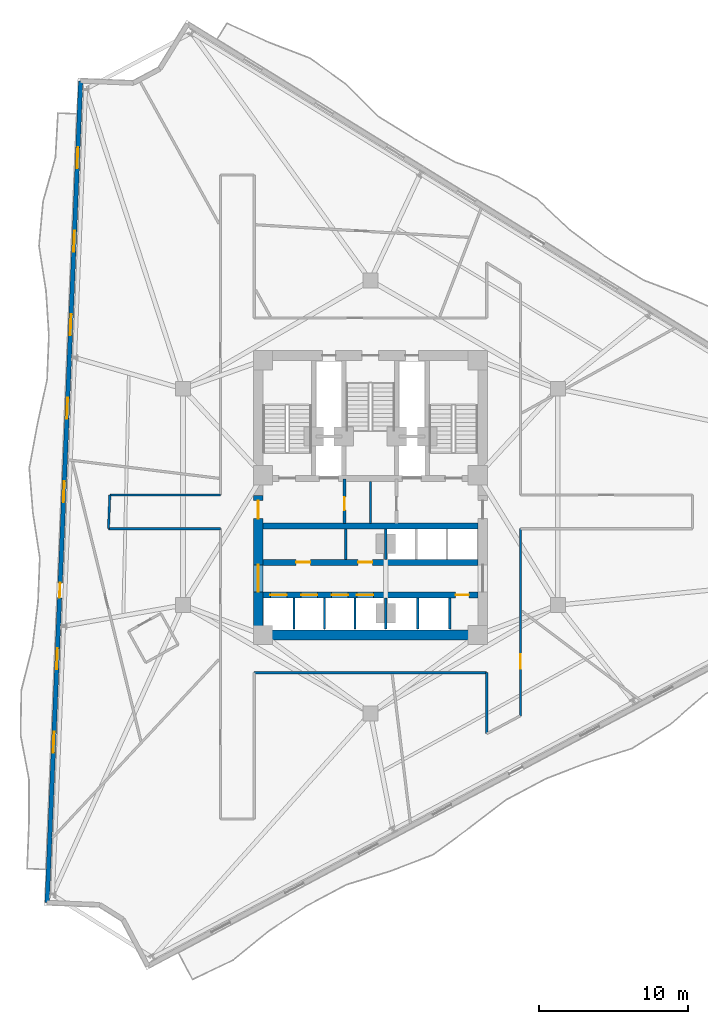
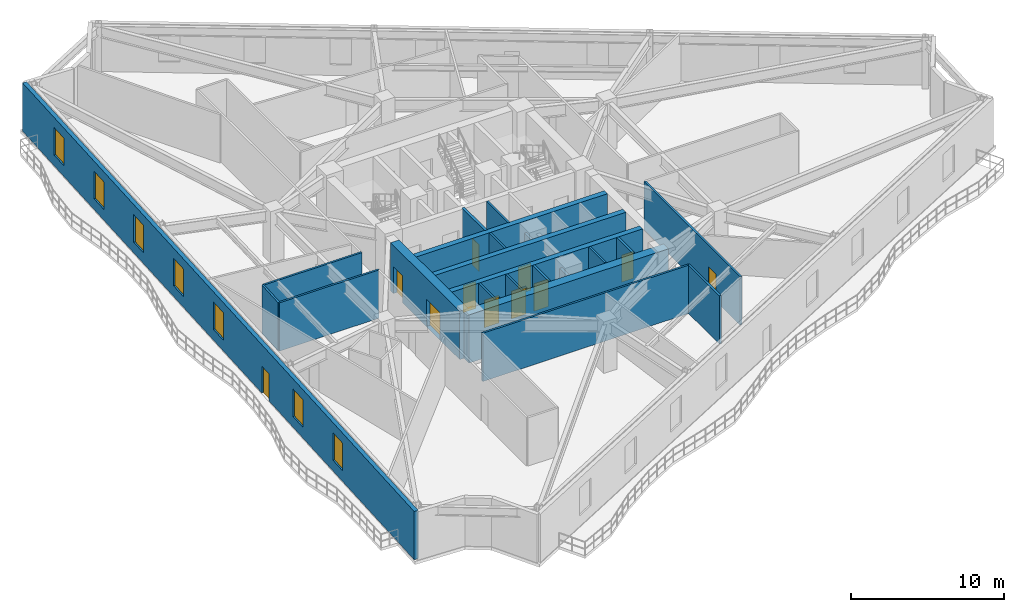
# One storey, part 6 of 12: 22 walls, 12 doors, 7 windows, 19 openings.
"""IFC4 building model written with IfcOpenShell, lengths in metres."""

import ifcopenshell
import ifcopenshell.guid

model = None  # the IFC model being written
_history = None  # IfcOwnerHistory: only IFC2X3 demands one
_inside = {}  # id of a spatial element -> (the spatial element, [elements in it])
_under = {}  # id of a project, library or spatial element -> (it, [spatial elements below it])
_declared = {}  # id of a project -> (the project, [libraries it declares])
_typed = {}  # id of a type object -> (the type object, [elements of that type])
_made_of = {}  # id of a material, layer set ... -> (it, [elements and type objects made of it])


def new_model(schema):
    """Start an empty IFC model of exactly this schema.

    Asked for "IFC4X3", IfcOpenShell would pick the latest addendum, in which some entities
    have other attributes; the version numbers below select the first issue.
    IFC2X3 requires an IfcOwnerHistory on every rooted entity: one is made here for all.
    """
    global model, _history
    if schema == "IFC4X3":
        model = ifcopenshell.file(schema_version=(4, 3, 0, 0))
    else:
        model = ifcopenshell.file(schema=schema)
    _inside.clear()
    _under.clear()
    _declared.clear()
    _typed.clear()
    _made_of.clear()
    _history = None
    if model.schema == "IFC2X3":
        org = make("IfcOrganization", Name="unknown")
        user = make(
            "IfcPersonAndOrganization",
            ThePerson=make("IfcPerson", FamilyName="unknown"),
            TheOrganization=org,
        )
        app = make(
            "IfcApplication",
            ApplicationDeveloper=org,
            Version="unknown",
            ApplicationFullName="unknown",
            ApplicationIdentifier="unknown",
        )
        _history = make(
            "IfcOwnerHistory",
            OwningUser=user,
            OwningApplication=app,
            ChangeAction="ADDED",
            CreationDate=0,
        )
    return model


def make(cls, **values):
    """One entity of the class cls with the attributes given. An attribute that is None is left unset."""
    return model.create_entity(
        cls, **{name: value for name, value in values.items() if value is not None}
    )


def rooted(cls, **values):
    """An entity with a GlobalId (a new one), such as an element, a storey or a relation."""
    return make(cls, GlobalId=ifcopenshell.guid.new(), OwnerHistory=_history, **values)


def si_unit(unit_type, name, prefix=None):
    """IfcSIUnit, for example si_unit("LENGTHUNIT", "METRE", prefix="MILLI")."""
    return make("IfcSIUnit", UnitType=unit_type, Prefix=prefix, Name=name)


def assignment(units):
    """IfcUnitAssignment: the units of a project."""
    return None if units is None else make("IfcUnitAssignment", Units=units)


def point(xyz):
    """IfcCartesianPoint."""
    return None if xyz is None else make("IfcCartesianPoint", Coordinates=xyz)


def direction(xyz):
    """IfcDirection."""
    return None if xyz is None else make("IfcDirection", DirectionRatios=xyz)


def frame(location, z_axis=None, x_axis=None):
    """IfcAxis2Placement3D, a coordinate frame: its origin and axes. An axis left out is left unset."""
    return make(
        "IfcAxis2Placement3D",
        Location=point(location),
        Axis=direction(z_axis),
        RefDirection=direction(x_axis),
    )


def frame_2d(location, x_axis=None):
    """IfcAxis2Placement2D, a coordinate frame in the plane: its origin and x axis."""
    return make(
        "IfcAxis2Placement2D", Location=point(location), RefDirection=direction(x_axis)
    )


def origin():
    """The frame at (0, 0, 0) with its axes left unset."""
    return frame((0.0, 0.0, 0.0))


def place(relative_to, where):
    """IfcLocalPlacement: puts the frame where relative to a parent placement (None: the world)."""
    return make(
        "IfcLocalPlacement", PlacementRelTo=relative_to, RelativePlacement=where
    )


def context(
    kind, dimensions, precision=None, world=None, true_north=None, identifier=None
):
    """IfcGeometricRepresentationContext, for example the 3D "Model" context."""
    return make(
        "IfcGeometricRepresentationContext",
        ContextIdentifier=identifier,
        ContextType=kind,
        CoordinateSpaceDimension=dimensions,
        Precision=precision,
        WorldCoordinateSystem=world,
        TrueNorth=true_north,
    )


def subcontext(parent, identifier, kind, view, scale=None):
    """IfcGeometricRepresentationSubContext, for example "Body" below "Model"."""
    return make(
        "IfcGeometricRepresentationSubContext",
        ContextIdentifier=identifier,
        ContextType=kind,
        ParentContext=parent,
        TargetScale=scale,
        TargetView=view,
    )


def project(units=None, contexts=None):
    """IfcProject with its units and contexts."""
    return rooted(
        "IfcProject",
        Name="project",
        RepresentationContexts=contexts,
        UnitsInContext=assignment(units),
    )


def spatial(cls, under=None, at=None, **own):
    """A site, building, storey or space (cls), placed at a placement, below another one or the project."""
    s = rooted(cls, ObjectPlacement=at, **own)
    if under is not None:
        _under.setdefault(under.id(), (under, []))[1].append(s)
    return s


def profile(cls, at=None, kind="AREA", **sizes):
    """A parametric profile (cls). Its sizes go by their IFC names, for example OverallWidth=200.0."""
    return make(cls, ProfileType=kind, Position=at, **sizes)


def rectangle(**sizes):
    """IfcRectangleProfileDef."""
    return profile("IfcRectangleProfileDef", **sizes)


def extrude(swept, where, along, depth):
    """IfcExtrudedAreaSolid: the profile swept, set in the frame where, extruded along a direction by depth."""
    return make(
        "IfcExtrudedAreaSolid",
        SweptArea=swept,
        Position=where,
        ExtrudedDirection=direction(along),
        Depth=depth,
    )


def shape(context_of_items, identifier, shape_type, items):
    """IfcShapeRepresentation: the items that make up one representation, for example the "Body"."""
    return make(
        "IfcShapeRepresentation",
        ContextOfItems=context_of_items,
        RepresentationIdentifier=identifier,
        RepresentationType=shape_type,
        Items=items,
    )


def material(Name=None, Category=None):
    """IfcMaterial."""
    return make("IfcMaterial", Name=Name, Category=Category)


def layer(
    of_material, thickness, ventilated=None, Name=None, Category=None, Priority=None
):
    """IfcMaterialLayer: one layer of a wall or slab, of a material (None: an air gap)."""
    return make(
        "IfcMaterialLayer",
        Material=of_material,
        LayerThickness=thickness,
        IsVentilated=ventilated,
        Name=Name,
        Category=Category,
        Priority=Priority,
    )


def layer_set(layers, Name=None):
    """IfcMaterialLayerSet."""
    return make("IfcMaterialLayerSet", MaterialLayers=layers, LayerSetName=Name)


def made_of(thing, what):
    """Note that an element or type object is made of a material, layer set ...; save() writes the relation."""
    if what is not None:
        _made_of.setdefault(what.id(), (what, []))[1].append(thing)
    return thing


def type_object(cls, material=None, **own):
    """A type object (cls), such as IfcWallType, which elements share."""
    return made_of(rooted(cls, **own), material)


def element(
    cls,
    number,
    at=None,
    inside=None,
    cuts=None,
    type_object=None,
    material=None,
    context=None,
    identifier="Body",
    shape_type=None,
    held_by="IfcProductDefinitionShape",
    body=None,
    shapes=None,
    **own,
):
    """One element of the class cls, such as IfcWall. Its Tag is "e" and its number.

    at: its placement. inside: the storey or other place that contains it. cuts: it is an
    opening in that element (IfcRelVoidsElement). A single representation is given by context,
    identifier, shape_type and body (its items); several are given by shapes. held_by: the class
    of the entity that holds the representations. save() writes the other relations.
    """
    e = rooted(cls, Tag="e%d" % number, ObjectPlacement=at, **own)
    if body is not None:
        shapes = [shape(context, identifier, shape_type, body)]
    if shapes is not None:
        e.Representation = make(held_by, Representations=shapes)
    if inside is not None:
        _inside.setdefault(inside.id(), (inside, []))[1].append(e)
    if cuts is not None:
        rooted(
            "IfcRelVoidsElement", RelatingBuildingElement=cuts, RelatedOpeningElement=e
        )
    if type_object is not None:
        _typed.setdefault(type_object.id(), (type_object, []))[1].append(e)
    return made_of(e, material)


def fill(opening, filler):
    """IfcRelFillsElement: the door or window that sits in an opening."""
    return rooted(
        "IfcRelFillsElement",
        RelatingOpeningElement=opening,
        RelatedBuildingElement=filler,
    )


def aggregate(whole, parts):
    """IfcRelAggregates: a whole, such as a stair, and the parts it consists of."""
    return rooted("IfcRelAggregates", RelatingObject=whole, RelatedObjects=parts)


def save(model, path):
    """Write the relations noted so far, then the file.

    IfcRelAggregates (storeys below a building ...), IfcRelContainedInSpatialStructure (elements
    in a storey), IfcRelDefinesByType, IfcRelAssociatesMaterial and IfcRelDeclares: one each for
    every whole, place, type object, material and project.
    """
    for whole, parts in _under.values():
        aggregate(whole, parts)
    for where, things in _inside.values():
        rooted(
            "IfcRelContainedInSpatialStructure",
            RelatedElements=things,
            RelatingStructure=where,
        )
    for kind, things in _typed.values():
        rooted("IfcRelDefinesByType", RelatedObjects=things, RelatingType=kind)
    for what, things in _made_of.values():
        rooted("IfcRelAssociatesMaterial", RelatedObjects=things, RelatingMaterial=what)
    for by, libraries in _declared.values():
        rooted("IfcRelDeclares", RelatingContext=by, RelatedDefinitions=libraries)
    model.write(path)


model = new_model("IFC4")

# Units and contexts
model_context = context("Model", 3, precision=1e-05, world=origin(), true_north=direction((0.0, 1.0)))
body_context = subcontext(model_context, "Body", "Model", "MODEL_VIEW")
ifc_project = project(units=[si_unit("LENGTHUNIT", "METRE"), si_unit("AREAUNIT", "SQUARE_METRE"), si_unit("VOLUMEUNIT", "CUBIC_METRE"), si_unit("PLANEANGLEUNIT", "RADIAN"), si_unit("MASSUNIT", "GRAM", prefix="KILO")], contexts=[model_context])

# Site, building, storey
site_placement = place(None, origin())
site = spatial("IfcSite", under=ifc_project, at=site_placement, CompositionType="ELEMENT")
building_placement = place(site_placement, origin())
building = spatial("IfcBuilding", under=site, at=building_placement, Name="Apsidion Concourse Tower", CompositionType="ELEMENT")
storey_placement = place(building_placement, frame((0.0, 0.0, 165.5)))
storey = spatial("IfcBuildingStorey", under=building, at=storey_placement, Name="L38", CompositionType="ELEMENT", Elevation=165.5)

# Wall, openings, door, windows
ifc_material_1 = material(Name="Precast concrete C40/50", Category="concrete")
ifc_layer_1 = layer(ifc_material_1, 0.300048828125)
ifc_layer_set_1 = layer_set([ifc_layer_1], Name="Precast concrete C40/50")
wall_type_1 = type_object("IfcWallType", Name="WL-EXT-300", PredefinedType="STANDARD", material=ifc_layer_set_1)
wall_1_placement = place(storey_placement, frame((-21.66748046875, -27.184326171875, 0.0), z_axis=(0.0, 0.0, 1.0), x_axis=(0.040813869681, 0.999166766882, 0.0)))
wall_1 = element("IfcWall", 1, at=wall_1_placement, inside=storey, type_object=wall_type_1, Name="L38 Precast Stone Facade Wall 09", PredefinedType="STANDARD", context=body_context, shape_type="SweptSolid", body=[
    extrude(rectangle(XDim=55.1103515625, YDim=0.300048828125, at=frame_2d((27.55517578125, 0.0))), origin(), (0.0, 0.0, 1.0), 3.85009765625),
])
opening_1_placement = place(wall_1_placement, frame((20.44189453125, 0.0, 0.0)))
opening_1 = element("IfcOpeningElement", 2, at=opening_1_placement, cuts=wall_1, Name="Opening D-T1L", PredefinedType="OPENING", context=body_context, shape_type="SweptSolid", body=[
    extrude(rectangle(XDim=1.0, YDim=2.14990234375, at=frame_2d((0.5, 1.074951171875))), frame((0.0, 0.16015625, 0.0), z_axis=(0.0, -1.0, 0.0), x_axis=(1.0, 0.0, 0.0)), (0.0, 0.0, 1.0), 0.320068359375),
])
opening_2_placement = place(wall_1_placement, frame((10.055419921875, 0.0, 0.85009765625)))
opening_2 = element("IfcOpeningElement", 3, at=opening_2_placement, cuts=wall_1, Name="Opening WN-05", PredefinedType="OPENING", context=body_context, shape_type="SweptSolid", body=[
    extrude(rectangle(XDim=1.39990234375, YDim=2.199951171875, at=frame_2d((0.699951171875, 1.10009765625))), frame((0.0, 0.16015625, 0.0), z_axis=(0.0, -1.0, 0.0), x_axis=(1.0, 0.0, 0.0)), (0.0, 0.0, 1.0), 0.320068359375),
])
opening_3_placement = place(wall_1_placement, frame((15.6552734375, 0.0, 0.85009765625)))
opening_3 = element("IfcOpeningElement", 4, at=opening_3_placement, cuts=wall_1, Name="Opening WN-05", PredefinedType="OPENING", context=body_context, shape_type="SweptSolid", body=[
    extrude(rectangle(XDim=1.39990234375, YDim=2.199951171875, at=frame_2d((0.699951171875, 1.10009765625))), frame((0.0, 0.16015625, 0.0), z_axis=(0.0, -1.0, 0.0), x_axis=(1.0, 0.0, 0.0)), (0.0, 0.0, 1.0), 0.320068359375),
])
opening_4_placement = place(wall_1_placement, frame((26.855224609375, 0.0, 0.85009765625)))
opening_4 = element("IfcOpeningElement", 5, at=opening_4_placement, cuts=wall_1, Name="Opening WN-05", PredefinedType="OPENING", context=body_context, shape_type="SweptSolid", body=[
    extrude(rectangle(XDim=1.39990234375, YDim=2.199951171875, at=frame_2d((0.699951171875, 1.10009765625))), frame((0.0, 0.16015625, 0.0), z_axis=(0.0, -1.0, 0.0), x_axis=(1.0, 0.0, 0.0)), (0.0, 0.0, 1.0), 0.320068359375),
])
opening_5_placement = place(wall_1_placement, frame((32.455322265625, 0.0, 0.85009765625)))
opening_5 = element("IfcOpeningElement", 6, at=opening_5_placement, cuts=wall_1, Name="Opening WN-05", PredefinedType="OPENING", context=body_context, shape_type="SweptSolid", body=[
    extrude(rectangle(XDim=1.39990234375, YDim=2.199951171875, at=frame_2d((0.699951171875, 1.10009765625))), frame((0.0, 0.16015625, 0.0), z_axis=(0.0, -1.0, 0.0), x_axis=(1.0, 0.0, 0.0)), (0.0, 0.0, 1.0), 0.320068359375),
])
opening_6_placement = place(wall_1_placement, frame((38.055419921875, 0.0, 0.85009765625)))
opening_6 = element("IfcOpeningElement", 7, at=opening_6_placement, cuts=wall_1, Name="Opening WN-05", PredefinedType="OPENING", context=body_context, shape_type="SweptSolid", body=[
    extrude(rectangle(XDim=1.39990234375, YDim=2.199951171875, at=frame_2d((0.699951171875, 1.10009765625))), frame((0.0, 0.16015625, 0.0), z_axis=(0.0, -1.0, 0.0), x_axis=(1.0, 0.0, 0.0)), (0.0, 0.0, 1.0), 0.320068359375),
])
opening_7_placement = place(wall_1_placement, frame((43.6552734375, 0.0, 0.85009765625)))
opening_7 = element("IfcOpeningElement", 8, at=opening_7_placement, cuts=wall_1, Name="Opening WN-05", PredefinedType="OPENING", context=body_context, shape_type="SweptSolid", body=[
    extrude(rectangle(XDim=1.39990234375, YDim=2.199951171875, at=frame_2d((0.699951171875, 1.10009765625))), frame((0.0, 0.16015625, 0.0), z_axis=(0.0, -1.0, 0.0), x_axis=(1.0, 0.0, 0.0)), (0.0, 0.0, 1.0), 0.320068359375),
])
opening_8_placement = place(wall_1_placement, frame((49.25537109375, 0.0, 0.85009765625)))
opening_8 = element("IfcOpeningElement", 9, at=opening_8_placement, cuts=wall_1, Name="Opening WN-05", PredefinedType="OPENING", context=body_context, shape_type="SweptSolid", body=[
    extrude(rectangle(XDim=1.39990234375, YDim=2.199951171875, at=frame_2d((0.699951171875, 1.10009765625))), frame((0.0, 0.16015625, 0.0), z_axis=(0.0, -1.0, 0.0), x_axis=(1.0, 0.0, 0.0)), (0.0, 0.0, 1.0), 0.320068359375),
])
ifc_material_2 = material(Name="Anodised aluminium EN AW-6063 T6", Category="aluminium")
door_type_1 = type_object("IfcDoorType", Name="DR-TER-1022L", OperationType="SINGLE_SWING_LEFT", PredefinedType="DOOR", material=ifc_material_2)
door_1_placement = place(opening_1_placement, origin())
door_1 = element("IfcDoor", 10, at=door_1_placement, inside=storey, type_object=door_type_1, Name="L38 Balcony Access Door 1", OperationType="SINGLE_SWING_LEFT", OverallHeight=2.14990234375, OverallWidth=1.0, PredefinedType="DOOR", context=body_context, shape_type="SweptSolid", body=[
    extrude(rectangle(XDim=1.0, YDim=2.14990234375, at=frame_2d((0.5, 1.074951171875))), frame((0.0, 0.02490234375, 0.0), z_axis=(0.0, -1.0, 0.0), x_axis=(1.0, 0.0, 0.0)), (0.0, 0.0, 1.0), 0.050048828125),
])
fill(opening_1, door_1)
ifc_material_3 = material(Name="Insulated laminated low-E glass", Category="glass")
window_type = type_object("IfcWindowType", Name="WN-OFF-1424", PartitioningType="SINGLE_PANEL", PredefinedType="WINDOW", material=ifc_material_3)
window_1_placement = place(opening_2_placement, origin())
window_1 = element("IfcWindow", 11, at=window_1_placement, inside=storey, type_object=window_type, Name="L38 Punched Facade Window 9-02", OverallHeight=2.199951171875, OverallWidth=1.39990234375, PartitioningType="SINGLE_PANEL", PredefinedType="WINDOW", context=body_context, shape_type="SweptSolid", body=[
    extrude(rectangle(XDim=1.39990234375, YDim=2.199951171875, at=frame_2d((0.699951171875, 1.10009765625))), frame((0.0, 0.030029296875, 0.0), z_axis=(0.0, -1.0, 0.0), x_axis=(1.0, 0.0, 0.0)), (0.0, 0.0, 1.0), 0.06005859375),
])
fill(opening_2, window_1)
window_2_placement = place(opening_3_placement, origin())
window_2 = element("IfcWindow", 12, at=window_2_placement, inside=storey, type_object=window_type, Name="L38 Punched Facade Window 9-03", OverallHeight=2.199951171875, OverallWidth=1.39990234375, PartitioningType="SINGLE_PANEL", PredefinedType="WINDOW", context=body_context, shape_type="SweptSolid", body=[
    extrude(rectangle(XDim=1.39990234375, YDim=2.199951171875, at=frame_2d((0.699951171875, 1.10009765625))), frame((0.0, 0.030029296875, 0.0), z_axis=(0.0, -1.0, 0.0), x_axis=(1.0, 0.0, 0.0)), (0.0, 0.0, 1.0), 0.06005859375),
])
fill(opening_3, window_2)
window_3_placement = place(opening_4_placement, origin())
window_3 = element("IfcWindow", 13, at=window_3_placement, inside=storey, type_object=window_type, Name="L38 Punched Facade Window 9-05", OverallHeight=2.199951171875, OverallWidth=1.39990234375, PartitioningType="SINGLE_PANEL", PredefinedType="WINDOW", context=body_context, shape_type="SweptSolid", body=[
    extrude(rectangle(XDim=1.39990234375, YDim=2.199951171875, at=frame_2d((0.699951171875, 1.10009765625))), frame((0.0, 0.030029296875, 0.0), z_axis=(0.0, -1.0, 0.0), x_axis=(1.0, 0.0, 0.0)), (0.0, 0.0, 1.0), 0.06005859375),
])
fill(opening_4, window_3)
window_4_placement = place(opening_5_placement, origin())
window_4 = element("IfcWindow", 14, at=window_4_placement, inside=storey, type_object=window_type, Name="L38 Punched Facade Window 9-06", OverallHeight=2.199951171875, OverallWidth=1.39990234375, PartitioningType="SINGLE_PANEL", PredefinedType="WINDOW", context=body_context, shape_type="SweptSolid", body=[
    extrude(rectangle(XDim=1.39990234375, YDim=2.199951171875, at=frame_2d((0.699951171875, 1.10009765625))), frame((0.0, 0.030029296875, 0.0), z_axis=(0.0, -1.0, 0.0), x_axis=(1.0, 0.0, 0.0)), (0.0, 0.0, 1.0), 0.06005859375),
])
fill(opening_5, window_4)
window_5_placement = place(opening_6_placement, origin())
window_5 = element("IfcWindow", 15, at=window_5_placement, inside=storey, type_object=window_type, Name="L38 Punched Facade Window 9-07", OverallHeight=2.199951171875, OverallWidth=1.39990234375, PartitioningType="SINGLE_PANEL", PredefinedType="WINDOW", context=body_context, shape_type="SweptSolid", body=[
    extrude(rectangle(XDim=1.39990234375, YDim=2.199951171875, at=frame_2d((0.699951171875, 1.10009765625))), frame((0.0, 0.030029296875, 0.0), z_axis=(0.0, -1.0, 0.0), x_axis=(1.0, 0.0, 0.0)), (0.0, 0.0, 1.0), 0.06005859375),
])
fill(opening_6, window_5)
window_6_placement = place(opening_7_placement, origin())
window_6 = element("IfcWindow", 16, at=window_6_placement, inside=storey, type_object=window_type, Name="L38 Punched Facade Window 9-08", OverallHeight=2.199951171875, OverallWidth=1.39990234375, PartitioningType="SINGLE_PANEL", PredefinedType="WINDOW", context=body_context, shape_type="SweptSolid", body=[
    extrude(rectangle(XDim=1.39990234375, YDim=2.199951171875, at=frame_2d((0.699951171875, 1.10009765625))), frame((0.0, 0.030029296875, 0.0), z_axis=(0.0, -1.0, 0.0), x_axis=(1.0, 0.0, 0.0)), (0.0, 0.0, 1.0), 0.06005859375),
])
fill(opening_7, window_6)
window_7_placement = place(opening_8_placement, origin())
window_7 = element("IfcWindow", 17, at=window_7_placement, inside=storey, type_object=window_type, Name="L38 Punched Facade Window 9-09", OverallHeight=2.199951171875, OverallWidth=1.39990234375, PartitioningType="SINGLE_PANEL", PredefinedType="WINDOW", context=body_context, shape_type="SweptSolid", body=[
    extrude(rectangle(XDim=1.39990234375, YDim=2.199951171875, at=frame_2d((0.699951171875, 1.10009765625))), frame((0.0, 0.030029296875, 0.0), z_axis=(0.0, -1.0, 0.0), x_axis=(1.0, 0.0, 0.0)), (0.0, 0.0, 1.0), 0.06005859375),
])
fill(opening_8, window_7)

# Walls
ifc_material_4 = material(Name="Gypsum plasterboard partition")
ifc_layer_2 = layer(ifc_material_4, 0.14990234375)
ifc_layer_set_2 = layer_set([ifc_layer_2], Name="Gypsum plasterboard partition")
wall_type_2 = type_object("IfcWallType", Name="WL-INT-PAR-150", PredefinedType="PARTITIONING", material=ifc_layer_set_2)
wall_2_placement = place(storey_placement, frame((-1.64990234375, -4.179931640625, 0.0), z_axis=(0.0, 0.0, 1.0), x_axis=(0.0, 1.0, 0.0)))
element("IfcWall", 18, at=wall_2_placement, inside=storey, type_object=wall_type_2, Name="L38 Interior Partition WL-L38-B1RV1", PredefinedType="PARTITIONING", context=body_context, shape_type="SweptSolid", body=[
    extrude(rectangle(XDim=2.030029296875, YDim=0.14990234375, at=frame_2d((1.01513671875, 0.0))), origin(), (0.0, 0.0, 1.0), 3.85009765625),
])
for number, where, z_axis, x_axis, name in (
    (19, (-5.125, -8.85009765625, 0.0), (0.0, 0.0, 1.0), (0.0, 1.0, 0.0), "L38 Interior Partition WL-L38-B2DIV-1"),
    (20, (-3.074951171875, -8.85009765625, 0.0), (0.0, 0.0, 1.0), (0.0, 1.0, 0.0), "L38 Interior Partition WL-L38-B2DIV-2"),
    (21, (-1.02490234375, -8.85009765625, 0.0), (0.0, 0.0, 1.0), (0.0, 1.0, 0.0), "L38 Interior Partition WL-L38-B2DIV-3"),
    (22, (3.175048828125, -8.85009765625, 0.0), (0.0, 0.0, 1.0), (0.0, 1.0, 0.0), "L38 Interior Partition WL-L38-SHDIV-1"),
):
    element("IfcWall", number, at=place(storey_placement, frame(where, z_axis=z_axis, x_axis=x_axis)), inside=storey, type_object=wall_type_2, Name=name, PredefinedType="PARTITIONING", context=body_context, shape_type="SweptSolid", body=[
        extrude(rectangle(XDim=2.080078125, YDim=0.14990234375, at=frame_2d((1.0400390625, 0.0))), origin(), (0.0, 0.0, 1.0), 3.85009765625),
    ])
wall_3_placement = place(storey_placement, frame((0.0, -1.780029296875, 0.0), z_axis=(0.0, 0.0, 1.0), x_axis=(0.0, 1.0, 0.0)))
element("IfcWall", 23, at=wall_3_placement, inside=storey, type_object=wall_type_2, Name="L38 Interior Partition WL-L38-K3V", PredefinedType="PARTITIONING", context=body_context, shape_type="SweptSolid", body=[
    extrude(rectangle(XDim=2.830078125, YDim=0.14990234375, at=frame_2d((1.4150390625, 0.0))), origin(), (0.0, 0.0, 1.0), 3.85009765625),
])
wall_4_placement = place(storey_placement, frame((7.7900390625, -15.87060546875, 0.0), z_axis=(0.0, 0.0, 1.0), x_axis=(0.0, 1.0, 0.0)))
element("IfcWall", 24, at=wall_4_placement, inside=storey, type_object=wall_type_2, Name="L38 Interior Partition WL-L38-CORR-02", PredefinedType="PARTITIONING", context=body_context, shape_type="SweptSolid", body=[
    extrude(rectangle(XDim=4.095703125, YDim=0.14990234375, at=frame_2d((2.0478515625, 0.0))), origin(), (0.0, 0.0, 1.0), 3.85009765625),
])
wall_5_placement = place(storey_placement, frame((7.7900390625, -11.77490234375, 0.0), z_axis=(0.0, 0.0, 1.0), x_axis=(-1.0, 0.0, 0.0)))
element("IfcWall", 25, at=wall_5_placement, inside=storey, type_object=wall_type_2, Name="L38 Interior Partition WL-L38-CORR-03", PredefinedType="PARTITIONING", context=body_context, shape_type="SweptSolid", body=[
    extrude(rectangle(XDim=15.580078125, YDim=0.14990234375, at=frame_2d((7.7900390625, 0.0))), origin(), (0.0, 0.0, 1.0), 3.85009765625),
])
wall_6_placement = place(storey_placement, frame((-10.050048828125, -2.1298828125, 0.0), z_axis=(0.0, 0.0, 1.0), x_axis=(-1.0, 0.0, 0.0)))
element("IfcWall", 26, at=wall_6_placement, inside=storey, type_object=wall_type_2, Name="L38 Interior Partition WL-L38-CORR-07", PredefinedType="PARTITIONING", context=body_context, shape_type="SweptSolid", body=[
    extrude(rectangle(XDim=7.50634765625, YDim=0.14990234375, at=frame_2d((3.753173828125, 0.0))), origin(), (0.0, 0.0, 1.0), 3.85009765625),
])
wall_7_placement = place(storey_placement, frame((-17.556396484375, -2.1298828125, 0.0), z_axis=(0.0, 0.0, 1.0), x_axis=(0.040804363078, 0.999167155162, 0.0)))
element("IfcWall", 27, at=wall_7_placement, inside=storey, type_object=wall_type_2, Name="L38 Interior Partition WL-L38-CORR-08", PredefinedType="PARTITIONING", context=body_context, shape_type="SweptSolid", body=[
    extrude(rectangle(XDim=2.26171875, YDim=0.14990234375, at=frame_2d((1.130859375, 0.0))), origin(), (0.0, 0.0, 1.0), 3.85009765625),
])
wall_8_placement = place(storey_placement, frame((-17.464111328125, 0.1298828125, 0.0), z_axis=(0.0, 0.0, 1.0), x_axis=(1.0, 0.0, 0.0)))
element("IfcWall", 28, at=wall_8_placement, inside=storey, type_object=wall_type_2, Name="L38 Interior Partition WL-L38-CORR-09", PredefinedType="PARTITIONING", context=body_context, shape_type="SweptSolid", body=[
    extrude(rectangle(XDim=7.4140625, YDim=0.14990234375, at=frame_2d((3.70703125, 0.0))), origin(), (0.0, 0.0, 1.0), 3.85009765625),
])

# Wall, opening, door
wall_9_placement = place(storey_placement, frame((10.050048828125, -2.1298828125, 0.0), z_axis=(0.0, 0.0, 1.0), x_axis=(0.0, -1.0, 0.0)))
wall_9 = element("IfcWall", 29, at=wall_9_placement, inside=storey, type_object=wall_type_2, Name="L38 Interior Partition WL-L38-CORR-20", PredefinedType="PARTITIONING", context=body_context, shape_type="SweptSolid", body=[
    extrude(rectangle(XDim=12.5390625, YDim=0.14990234375, at=frame_2d((6.26953125, 0.0))), origin(), (0.0, 0.0, 1.0), 3.85009765625),
])
opening_9_placement = place(wall_9_placement, frame((8.428955078125, 0.0, 0.0)))
opening_9 = element("IfcOpeningElement", 30, at=opening_9_placement, cuts=wall_9, Name="Opening D-01L", PredefinedType="OPENING", context=body_context, shape_type="SweptSolid", body=[
    extrude(rectangle(XDim=0.949951171875, YDim=2.14990234375, at=frame_2d((0.47509765625, 1.074951171875))), frame((0.0, 0.0849609375, 0.0), z_axis=(0.0, -1.0, 0.0), x_axis=(1.0, 0.0, 0.0)), (0.0, 0.0, 1.0), 0.169921875),
])
ifc_material_5 = material(Name="Brushed stainless steel 316", Category="steel")
door_type_2 = type_object("IfcDoorType", Name="DR-INT-D01L", OperationType="SINGLE_SWING_LEFT", PredefinedType="DOOR", material=ifc_material_5)
door_2_placement = place(opening_9_placement, origin())
door_2 = element("IfcDoor", 31, at=door_2_placement, inside=storey, type_object=door_type_2, Name="L38 Corridor Entry Door 03", OperationType="SINGLE_SWING_LEFT", OverallHeight=2.14990234375, OverallWidth=0.949951171875, PredefinedType="DOOR", context=body_context, shape_type="SweptSolid", body=[
    extrude(rectangle(XDim=0.949951171875, YDim=2.14990234375, at=frame_2d((0.47509765625, 1.074951171875))), frame((0.0, 0.02490234375, 0.0), z_axis=(0.0, -1.0, 0.0), x_axis=(1.0, 0.0, 0.0)), (0.0, 0.0, 1.0), 0.050048828125),
])
fill(opening_9, door_2)

# Walls
ifc_layer_3 = layer(ifc_material_4, 0.179931640625)
ifc_layer_set_3 = layer_set([ifc_layer_3], Name="Gypsum plasterboard partition")
wall_type_3 = type_object("IfcWallType", Name="WL-INT-PAR-180", PredefinedType="PARTITIONING", material=ifc_layer_set_3)
wall_10_placement = place(storey_placement, frame((1.02490234375, -4.179931640625, 0.0), z_axis=(0.0, 0.0, 1.0), x_axis=(0.0, 1.0, 0.0)))
element("IfcWall", 32, at=wall_10_placement, inside=storey, type_object=wall_type_3, Name="L38 Interior Partition WL-L38-B1END", PredefinedType="PARTITIONING", context=body_context, shape_type="SweptSolid", body=[
    extrude(rectangle(XDim=2.030029296875, YDim=0.179931640625, at=frame_2d((1.01513671875, 0.0))), origin(), (0.0, 0.0, 1.0), 2.89794921875),
])
wall_11_placement = place(storey_placement, frame((1.02490234375, -8.85009765625, 0.0), z_axis=(0.0, 0.0, 1.0), x_axis=(0.0, 1.0, 0.0)))
element("IfcWall", 33, at=wall_11_placement, inside=storey, type_object=wall_type_3, Name="L38 Interior Partition WL-L38-B2END", PredefinedType="PARTITIONING", context=body_context, shape_type="SweptSolid", body=[
    extrude(rectangle(XDim=2.080078125, YDim=0.179931640625, at=frame_2d((1.0400390625, 0.0))), origin(), (0.0, 0.0, 1.0), 2.89794921875),
])
wall_12_placement = place(storey_placement, frame((5.324951171875, -8.85009765625, 0.0), z_axis=(0.0, 0.0, 1.0), x_axis=(0.0, 1.0, 0.0)))
element("IfcWall", 34, at=wall_12_placement, inside=storey, type_object=wall_type_3, Name="L38 Interior Partition WL-L38-SHDIV-2", PredefinedType="PARTITIONING", context=body_context, shape_type="SweptSolid", body=[
    extrude(rectangle(XDim=2.080078125, YDim=0.179931640625, at=frame_2d((1.0400390625, 0.0))), origin(), (0.0, 0.0, 1.0), 3.85009765625),
])

# Wall, opening, door
ifc_layer_4 = layer(ifc_material_4, 0.199951171875)
ifc_layer_set_4 = layer_set([ifc_layer_4], Name="Gypsum plasterboard partition")
wall_type_4 = type_object("IfcWallType", Name="WL-INT-PAR-200", PredefinedType="PARTITIONING", material=ifc_layer_set_4)
wall_13_placement = place(storey_placement, frame((-1.739990234375, -1.780029296875, 0.0), z_axis=(0.0, 0.0, 1.0), x_axis=(0.0, 1.0, 0.0)))
wall_13 = element("IfcWall", 35, at=wall_13_placement, inside=storey, type_object=wall_type_4, Name="L38 Interior Partition WL-L38-FF1-E", PredefinedType="PARTITIONING", context=body_context, shape_type="SweptSolid", body=[
    extrude(rectangle(XDim=2.97998046875, YDim=0.199951171875, at=frame_2d((1.489990234375, 0.0))), origin(), (0.0, 0.0, 1.0), 3.85009765625),
])
opening_10_placement = place(wall_13_placement, frame((0.889892578125, 0.0, 0.0)))
opening_10 = element("IfcOpeningElement", 36, at=opening_10_placement, cuts=wall_13, Name="Opening D-05R", PredefinedType="OPENING", context=body_context, shape_type="SweptSolid", body=[
    extrude(rectangle(XDim=0.8798828125, YDim=2.14990234375, at=frame_2d((0.43994140625, 1.074951171875))), frame((0.0, 0.10986328125, 0.0), z_axis=(0.0, -1.0, 0.0), x_axis=(1.0, 0.0, 0.0)), (0.0, 0.0, 1.0), 0.219970703125),
])
door_type_3 = type_object("IfcDoorType", Name="DR-INT-D05R", OperationType="SINGLE_SWING_RIGHT", PredefinedType="DOOR", material=ifc_material_5)
door_3_placement = place(opening_10_placement, origin())
door_3 = element("IfcDoor", 37, at=door_3_placement, inside=storey, type_object=door_type_3, Name="L38 Core Pantry Door", OperationType="SINGLE_SWING_RIGHT", OverallHeight=2.14990234375, OverallWidth=0.8798828125, PredefinedType="DOOR", context=body_context, shape_type="SweptSolid", body=[
    extrude(rectangle(XDim=0.8798828125, YDim=2.14990234375, at=frame_2d((0.43994140625, 1.074951171875))), frame((0.0, 0.02490234375, 0.0), z_axis=(0.0, -1.0, 0.0), x_axis=(1.0, 0.0, 0.0)), (0.0, 0.0, 1.0), 0.050048828125),
])
fill(opening_10, door_3)

# Wall
ifc_material_6 = material(Name="Concrete C50/60", Category="concrete")
ifc_layer_5 = layer(ifc_material_6, 0.39990234375)
ifc_layer_set_5 = layer_set([ifc_layer_5], Name="Concrete C50/60")
wall_type_5 = type_object("IfcWallType", Name="WL-SH-400", PredefinedType="SHEAR", material=ifc_layer_set_5)
wall_14_placement = place(storey_placement, frame((-7.199951171875, -1.949951171875, 0.0), z_axis=(0.0, 0.0, 1.0), x_axis=(1.0, 0.0, 0.0)))
element("IfcWall", 38, at=wall_14_placement, inside=storey, type_object=wall_type_5, Name="L38 Central Core Shear Wall M2", PredefinedType="SHEAR", context=body_context, shape_type="SweptSolid", body=[
    extrude(rectangle(XDim=14.39990234375, YDim=0.39990234375, at=frame_2d((7.199951171875, 0.0))), origin(), (0.0, 0.0, 1.0), 3.85009765625),
])

# Wall, openings, doors
wall_15_placement = place(storey_placement, frame((-7.199951171875, -4.3798828125, 0.0), z_axis=(0.0, 0.0, 1.0), x_axis=(1.0, 0.0, 0.0)))
wall_15 = element("IfcWall", 39, at=wall_15_placement, inside=storey, type_object=wall_type_5, Name="L38 Central Core Shear Wall LA", PredefinedType="SHEAR", context=body_context, shape_type="SweptSolid", body=[
    extrude(rectangle(XDim=14.39990234375, YDim=0.39990234375, at=frame_2d((7.199951171875, 0.0))), origin(), (0.0, 0.0, 1.0), 3.85009765625),
])
opening_11_placement = place(wall_15_placement, frame((2.22509765625, 0.0, 0.0)))
opening_11 = element("IfcOpeningElement", 40, at=opening_11_placement, cuts=wall_15, Name="Opening D-04L", PredefinedType="OPENING", context=body_context, shape_type="SweptSolid", body=[
    extrude(rectangle(XDim=0.949951171875, YDim=2.14990234375, at=frame_2d((0.47509765625, 1.074951171875))), frame((0.0, 0.2099609375, 0.0), z_axis=(0.0, -1.0, 0.0), x_axis=(1.0, 0.0, 0.0)), (0.0, 0.0, 1.0), 0.419921875),
])
opening_12_placement = place(wall_15_placement, frame((6.375, 0.0, 0.0)))
opening_12 = element("IfcOpeningElement", 41, at=opening_12_placement, cuts=wall_15, Name="Opening D-04R", PredefinedType="OPENING", context=body_context, shape_type="SweptSolid", body=[
    extrude(rectangle(XDim=0.949951171875, YDim=2.14990234375, at=frame_2d((0.47509765625, 1.074951171875))), frame((0.0, 0.2099609375, 0.0), z_axis=(0.0, -1.0, 0.0), x_axis=(1.0, 0.0, 0.0)), (0.0, 0.0, 1.0), 0.419921875),
])
door_type_4 = type_object("IfcDoorType", Name="DR-INT-D04L", OperationType="SINGLE_SWING_LEFT", PredefinedType="DOOR", material=ifc_material_5)
door_4_placement = place(opening_11_placement, origin())
door_4 = element("IfcDoor", 42, at=door_4_placement, inside=storey, type_object=door_type_4, Name="L38 Tenant Records Archive Room Door", OperationType="SINGLE_SWING_LEFT", OverallHeight=2.14990234375, OverallWidth=0.949951171875, PredefinedType="DOOR", context=body_context, shape_type="SweptSolid", body=[
    extrude(rectangle(XDim=0.949951171875, YDim=2.14990234375, at=frame_2d((0.47509765625, 1.074951171875))), frame((0.0, 0.02490234375, 0.0), z_axis=(0.0, -1.0, 0.0), x_axis=(1.0, 0.0, 0.0)), (0.0, 0.0, 1.0), 0.050048828125),
])
fill(opening_11, door_4)
door_type_5 = type_object("IfcDoorType", Name="DR-INT-D04R", OperationType="SINGLE_SWING_RIGHT", PredefinedType="DOOR", material=ifc_material_5)
door_5_placement = place(opening_12_placement, origin())
door_5 = element("IfcDoor", 43, at=door_5_placement, inside=storey, type_object=door_type_5, Name="L38 Core Beverage Pantry Door", OperationType="SINGLE_SWING_RIGHT", OverallHeight=2.14990234375, OverallWidth=0.949951171875, PredefinedType="DOOR", context=body_context, shape_type="SweptSolid", body=[
    extrude(rectangle(XDim=0.949951171875, YDim=2.14990234375, at=frame_2d((0.47509765625, 1.074951171875))), frame((0.0, 0.02490234375, 0.0), z_axis=(0.0, -1.0, 0.0), x_axis=(1.0, 0.0, 0.0)), (0.0, 0.0, 1.0), 0.050048828125),
])
fill(opening_12, door_5)

wall_16_placement = place(storey_placement, frame((-7.199951171875, -6.570068359375, 0.0), z_axis=(0.0, 0.0, 1.0), x_axis=(1.0, 0.0, 0.0)))
wall_16 = element("IfcWall", 44, at=wall_16_placement, inside=storey, type_object=wall_type_5, Name="L38 Central Core Shear Wall LB", PredefinedType="SHEAR", context=body_context, shape_type="SweptSolid", body=[
    extrude(rectangle(XDim=14.39990234375, YDim=0.39990234375, at=frame_2d((7.199951171875, 0.0))), origin(), (0.0, 0.0, 1.0), 3.85009765625),
])
opening_13_placement = place(wall_16_placement, frame((0.5, 0.0, 0.0)))
opening_13 = element("IfcOpeningElement", 45, at=opening_13_placement, cuts=wall_16, Name="Opening LD-P1", PredefinedType="OPENING", context=body_context, shape_type="SweptSolid", body=[
    extrude(rectangle(XDim=1.10009765625, YDim=2.199951171875, at=frame_2d((0.550048828125, 1.10009765625))), frame((0.0, 0.2099609375, 0.0), z_axis=(0.0, -1.0, 0.0), x_axis=(1.0, 0.0, 0.0)), (0.0, 0.0, 1.0), 0.419921875),
])
opening_14_placement = place(wall_16_placement, frame((2.550048828125, 0.0, 0.0)))
opening_14 = element("IfcOpeningElement", 46, at=opening_14_placement, cuts=wall_16, Name="Opening LD-P1", PredefinedType="OPENING", context=body_context, shape_type="SweptSolid", body=[
    extrude(rectangle(XDim=1.10009765625, YDim=2.199951171875, at=frame_2d((0.550048828125, 1.10009765625))), frame((0.0, 0.2099609375, 0.0), z_axis=(0.0, -1.0, 0.0), x_axis=(1.0, 0.0, 0.0)), (0.0, 0.0, 1.0), 0.419921875),
])
opening_15_placement = place(wall_16_placement, frame((4.60009765625, 0.0, 0.0)))
opening_15 = element("IfcOpeningElement", 47, at=opening_15_placement, cuts=wall_16, Name="Opening LD-P1", PredefinedType="OPENING", context=body_context, shape_type="SweptSolid", body=[
    extrude(rectangle(XDim=1.10009765625, YDim=2.199951171875, at=frame_2d((0.550048828125, 1.10009765625))), frame((0.0, 0.2099609375, 0.0), z_axis=(0.0, -1.0, 0.0), x_axis=(1.0, 0.0, 0.0)), (0.0, 0.0, 1.0), 0.419921875),
])
opening_16_placement = place(wall_16_placement, frame((6.300048828125, 0.0, 0.0)))
opening_16 = element("IfcOpeningElement", 48, at=opening_16_placement, cuts=wall_16, Name="Opening LD-P1", PredefinedType="OPENING", context=body_context, shape_type="SweptSolid", body=[
    extrude(rectangle(XDim=1.10009765625, YDim=2.199951171875, at=frame_2d((0.550048828125, 1.10009765625))), frame((0.0, 0.2099609375, 0.0), z_axis=(0.0, -1.0, 0.0), x_axis=(1.0, 0.0, 0.0)), (0.0, 0.0, 1.0), 0.419921875),
])
opening_17_placement = place(wall_16_placement, frame((12.909912109375, 0.0, 0.0)))
opening_17 = element("IfcOpeningElement", 49, at=opening_17_placement, cuts=wall_16, Name="Opening D-05L", PredefinedType="OPENING", context=body_context, shape_type="SweptSolid", body=[
    extrude(rectangle(XDim=0.8798828125, YDim=2.14990234375, at=frame_2d((0.43994140625, 1.074951171875))), frame((0.0, 0.2099609375, 0.0), z_axis=(0.0, -1.0, 0.0), x_axis=(1.0, 0.0, 0.0)), (0.0, 0.0, 1.0), 0.419921875),
])
door_type_6 = type_object("IfcDoorType", Name="DR-INT-D05L", OperationType="SINGLE_SWING_LEFT", PredefinedType="DOOR", material=ifc_material_5)
door_6_placement = place(opening_17_placement, origin())
door_6 = element("IfcDoor", 50, at=door_6_placement, inside=storey, type_object=door_type_6, Name="L38 Cleaners Store Door", OperationType="SINGLE_SWING_LEFT", OverallHeight=2.14990234375, OverallWidth=0.8798828125, PredefinedType="DOOR", context=body_context, shape_type="SweptSolid", body=[
    extrude(rectangle(XDim=0.8798828125, YDim=2.14990234375, at=frame_2d((0.43994140625, 1.074951171875))), frame((0.0, 0.02490234375, 0.0), z_axis=(0.0, -1.0, 0.0), x_axis=(1.0, 0.0, 0.0)), (0.0, 0.0, 1.0), 0.050048828125),
])
fill(opening_17, door_6)
door_type_7 = type_object("IfcDoorType", Name="DR-LD-PASS", OperationType="DOUBLE_DOOR_SLIDING", PredefinedType="DOOR", material=ifc_material_5)
door_7_placement = place(opening_13_placement, origin())
door_7 = element("IfcDoor", 51, at=door_7_placement, inside=storey, type_object=door_type_7, Name="L38 Lift Landing Door P5", OperationType="DOUBLE_DOOR_SLIDING", OverallHeight=2.199951171875, OverallWidth=1.10009765625, PredefinedType="DOOR", context=body_context, shape_type="SweptSolid", body=[
    extrude(rectangle(XDim=1.10009765625, YDim=2.199951171875, at=frame_2d((0.550048828125, 1.10009765625))), frame((0.0, 0.02490234375, 0.0), z_axis=(0.0, -1.0, 0.0), x_axis=(1.0, 0.0, 0.0)), (0.0, 0.0, 1.0), 0.050048828125),
])
fill(opening_13, door_7)
door_8_placement = place(opening_14_placement, origin())
door_8 = element("IfcDoor", 52, at=door_8_placement, inside=storey, type_object=door_type_7, Name="L38 Lift Landing Door P6", OperationType="DOUBLE_DOOR_SLIDING", OverallHeight=2.199951171875, OverallWidth=1.10009765625, PredefinedType="DOOR", context=body_context, shape_type="SweptSolid", body=[
    extrude(rectangle(XDim=1.10009765625, YDim=2.199951171875, at=frame_2d((0.550048828125, 1.10009765625))), frame((0.0, 0.02490234375, 0.0), z_axis=(0.0, -1.0, 0.0), x_axis=(1.0, 0.0, 0.0)), (0.0, 0.0, 1.0), 0.050048828125),
])
fill(opening_14, door_8)
door_9_placement = place(opening_15_placement, origin())
door_9 = element("IfcDoor", 53, at=door_9_placement, inside=storey, type_object=door_type_7, Name="L38 Lift Landing Door P7", OperationType="DOUBLE_DOOR_SLIDING", OverallHeight=2.199951171875, OverallWidth=1.10009765625, PredefinedType="DOOR", context=body_context, shape_type="SweptSolid", body=[
    extrude(rectangle(XDim=1.10009765625, YDim=2.199951171875, at=frame_2d((0.550048828125, 1.10009765625))), frame((0.0, 0.02490234375, 0.0), z_axis=(0.0, -1.0, 0.0), x_axis=(1.0, 0.0, 0.0)), (0.0, 0.0, 1.0), 0.050048828125),
])
fill(opening_15, door_9)
door_10_placement = place(opening_16_placement, origin())
door_10 = element("IfcDoor", 54, at=door_10_placement, inside=storey, type_object=door_type_7, Name="L38 Lift Landing Door P8", OperationType="DOUBLE_DOOR_SLIDING", OverallHeight=2.199951171875, OverallWidth=1.10009765625, PredefinedType="DOOR", context=body_context, shape_type="SweptSolid", body=[
    extrude(rectangle(XDim=1.10009765625, YDim=2.199951171875, at=frame_2d((0.550048828125, 1.10009765625))), frame((0.0, 0.02490234375, 0.0), z_axis=(0.0, -1.0, 0.0), x_axis=(1.0, 0.0, 0.0)), (0.0, 0.0, 1.0), 0.050048828125),
])
fill(opening_16, door_10)

ifc_layer_6 = layer(ifc_material_6, 0.64990234375)
ifc_layer_set_6 = layer_set([ifc_layer_6], Name="Concrete C50/60")
wall_type_6 = type_object("IfcWallType", Name="WL-SH-650", PredefinedType="SHEAR", material=ifc_layer_set_6)
wall_17_placement = place(storey_placement, frame((-7.52490234375, -8.925048828125, 0.0), z_axis=(0.0, 0.0, 1.0), x_axis=(0.0, 1.0, 0.0)))
wall_17 = element("IfcWall", 55, at=wall_17_placement, inside=storey, type_object=wall_type_6, Name="L38 Central Core Shear Wall WS", PredefinedType="SHEAR", context=body_context, shape_type="SweptSolid", body=[
    extrude(rectangle(XDim=9.025146484375, YDim=0.64990234375, at=frame_2d((4.5126953125, 0.0))), origin(), (0.0, 0.0, 1.0), 3.85009765625),
])
opening_18_placement = place(wall_17_placement, frame((2.56494140625, 0.0, 0.0)))
opening_18 = element("IfcOpeningElement", 56, at=opening_18_placement, cuts=wall_17, Name="Opening D-06D", PredefinedType="OPENING", context=body_context, shape_type="SweptSolid", body=[
    extrude(rectangle(XDim=1.800048828125, YDim=2.199951171875, at=frame_2d((0.89990234375, 1.10009765625))), frame((0.0, 0.3349609375, 0.0), z_axis=(0.0, -1.0, 0.0), x_axis=(1.0, 0.0, 0.0)), (0.0, 0.0, 1.0), 0.669921875),
])
opening_19_placement = place(wall_17_placement, frame((7.47509765625, 0.0, 0.0)))
opening_19 = element("IfcOpeningElement", 57, at=opening_19_placement, cuts=wall_17, Name="Opening D-FFL", PredefinedType="OPENING", context=body_context, shape_type="SweptSolid", body=[
    extrude(rectangle(XDim=1.199951171875, YDim=2.14990234375, at=frame_2d((0.60009765625, 1.074951171875))), frame((0.0, 0.3349609375, 0.0), z_axis=(0.0, -1.0, 0.0), x_axis=(1.0, 0.0, 0.0)), (0.0, 0.0, 1.0), 0.669921875),
])
door_type_8 = type_object("IfcDoorType", Name="DR-INT-D06D", OperationType="DOUBLE_DOOR_SINGLE_SWING", PredefinedType="DOOR", material=ifc_material_5)
door_11_placement = place(opening_18_placement, origin())
door_11 = element("IfcDoor", 58, at=door_11_placement, inside=storey, type_object=door_type_8, Name="L38 Passenger Lift Lobby WS Portal Door", OperationType="DOUBLE_DOOR_SINGLE_SWING", OverallHeight=2.199951171875, OverallWidth=1.800048828125, PredefinedType="DOOR", context=body_context, shape_type="SweptSolid", body=[
    extrude(rectangle(XDim=1.800048828125, YDim=2.199951171875, at=frame_2d((0.89990234375, 1.10009765625))), frame((0.0, 0.02490234375, 0.0), z_axis=(0.0, -1.0, 0.0), x_axis=(1.0, 0.0, 0.0)), (0.0, 0.0, 1.0), 0.050048828125),
])
fill(opening_18, door_11)
door_type_9 = type_object("IfcDoorType", Name="DR-INT-FFL", OperationType="SINGLE_SWING_LEFT", PredefinedType="DOOR", material=ifc_material_5)
door_12_placement = place(opening_19_placement, origin())
door_12 = element("IfcDoor", 59, at=door_12_placement, inside=storey, type_object=door_type_9, Name="L38 Firefighting Lift Lobby FF1 Door", OperationType="SINGLE_SWING_LEFT", OverallHeight=2.14990234375, OverallWidth=1.199951171875, PredefinedType="DOOR", context=body_context, shape_type="SweptSolid", body=[
    extrude(rectangle(XDim=1.199951171875, YDim=2.14990234375, at=frame_2d((0.60009765625, 1.074951171875))), frame((0.0, 0.02490234375, 0.0), z_axis=(0.0, -1.0, 0.0), x_axis=(1.0, 0.0, 0.0)), (0.0, 0.0, 1.0), 0.050048828125),
])
fill(opening_19, door_12)

# Wall
wall_18_placement = place(storey_placement, frame((-7.52490234375, -9.25, 0.0), z_axis=(0.0, 0.0, 1.0), x_axis=(1.0, 0.0, 0.0)))
element("IfcWall", 60, at=wall_18_placement, inside=storey, type_object=wall_type_6, Name="L38 Central Core Shear Wall S", PredefinedType="SHEAR", context=body_context, shape_type="SweptSolid", body=[
    extrude(rectangle(XDim=15.0498046875, YDim=0.64990234375, at=frame_2d((7.52490234375, 0.0))), origin(), (0.0, 0.0, 1.0), 3.85009765625),
])

save(model, "model.ifc")
